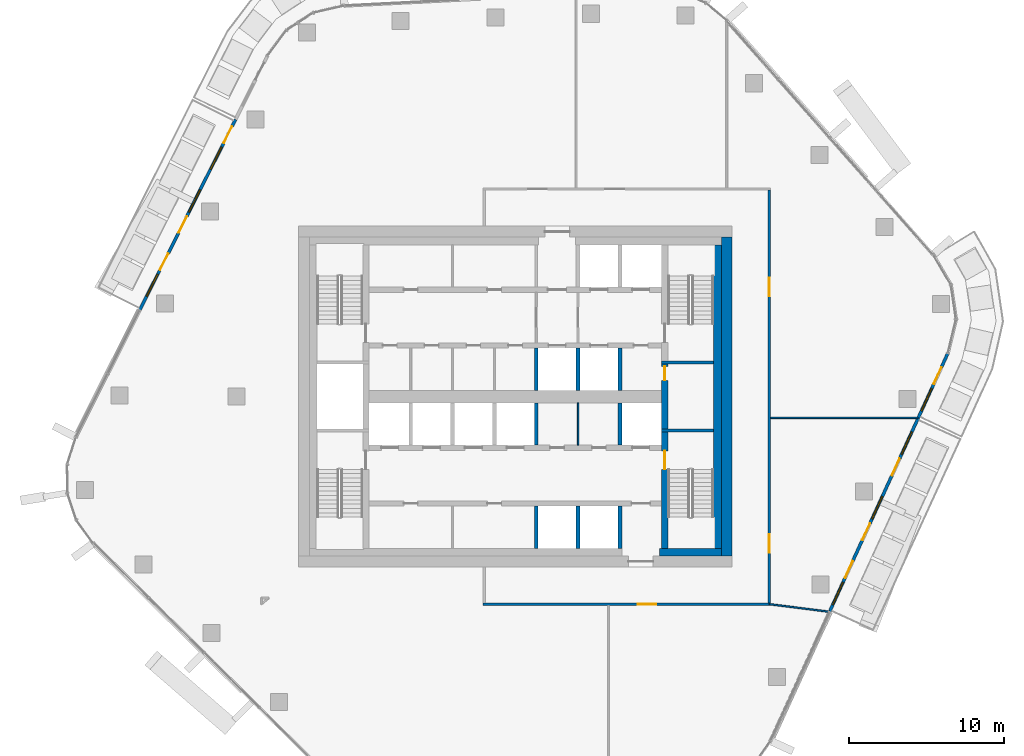
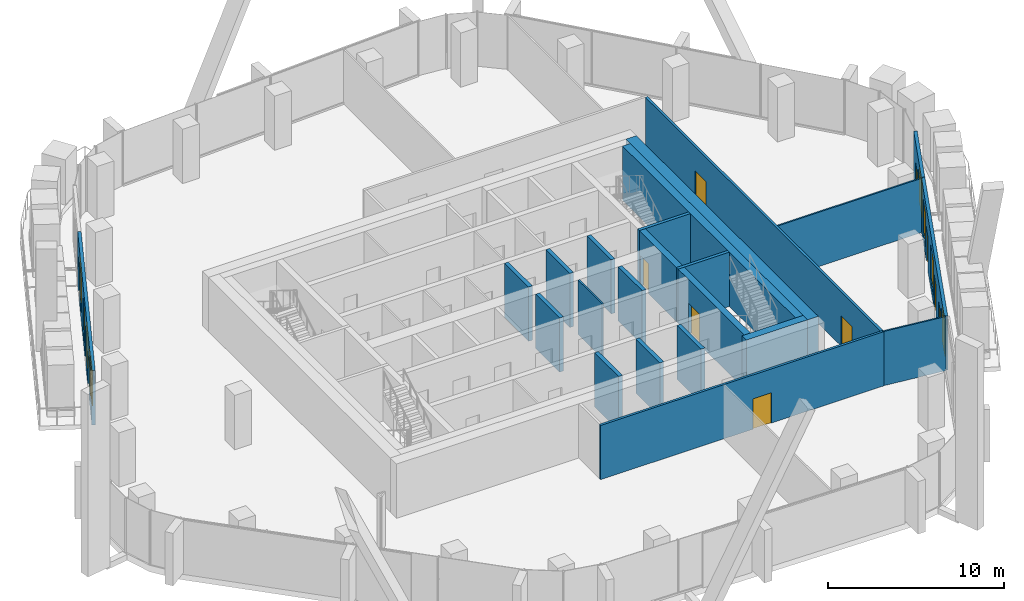
# One storey, part 11 of 20: 23 walls, 12 doors, 7 windows, 19 openings.
"""IFC4 building model written with IfcOpenShell, lengths in metres."""

from ifc_helpers import new_model, si_unit, direction, frame, frame_2d, origin, place, context, subcontext, project, spatial, rectangle, extrude, material, layer, layer_set, type_object, element, fill, save


model = new_model("IFC4")

# Units and contexts
model_context = context("Model", 3, precision=1e-05, world=origin(), true_north=direction((0.0, 1.0)))
body_context = subcontext(model_context, "Body", "Model", "MODEL_VIEW")
ifc_project = project(units=[si_unit("LENGTHUNIT", "METRE"), si_unit("AREAUNIT", "SQUARE_METRE"), si_unit("VOLUMEUNIT", "CUBIC_METRE"), si_unit("PLANEANGLEUNIT", "RADIAN"), si_unit("MASSUNIT", "GRAM", prefix="KILO")], contexts=[model_context])

# Site, building, storey
site_placement = place(None, origin())
site = spatial("IfcSite", under=ifc_project, at=site_placement, CompositionType="ELEMENT")
building_placement = place(site_placement, origin())
building = spatial("IfcBuilding", under=site, at=building_placement, Name="Dongbaek Canopy Tower", CompositionType="ELEMENT")
storey_placement = place(building_placement, frame((0.0, 0.0, 228.60009765625)))
storey = spatial("IfcBuildingStorey", under=building, at=storey_placement, Name="L47", CompositionType="ELEMENT", Elevation=228.60009765625)

# Walls
ifc_material_1 = material(Name="Concrete C70/85", Category="concrete")
ifc_layer_1 = layer(ifc_material_1, 0.699951171875)
ifc_layer_set_1 = layer_set([ifc_layer_1], Name="Core outer wall 700 Concrete C70/85")
wall_type_1 = type_object("IfcWallType", Name="Core outer wall 700 Concrete C70/85", PredefinedType="SHEAR", material=ifc_layer_set_1)
wall_1_placement = place(storey_placement, frame((13.64990234375, 10.300048828125, 0.0), z_axis=(0.0, 0.0, 1.0), x_axis=(0.0, -1.0, 0.0)))
element("IfcWall", 1, at=wall_1_placement, inside=storey, type_object=wall_type_1, Name="Core wall", PredefinedType="SHEAR", context=body_context, shape_type="SweptSolid", body=[
    extrude(rectangle(XDim=20.60009765625, YDim=0.699951171875, at=frame_2d((10.300048828125, 0.0))), origin(), (0.0, 0.0, 1.0), 3.75),
])
ifc_material_2 = material(Name="Concrete C60/75", Category="concrete")
ifc_layer_2 = layer(ifc_material_2, 0.5)
ifc_layer_set_2 = layer_set([ifc_layer_2], Name="Core wall lining 500 Concrete C60/75")
wall_type_2 = type_object("IfcWallType", Name="Core wall lining 500 Concrete C60/75", PredefinedType="SHEAR", material=ifc_layer_set_2)
wall_2_placement = place(storey_placement, frame((13.300048828125, -10.050048828125, 0.0), z_axis=(0.0, 0.0, 1.0), x_axis=(-1.0, 0.0, 0.0)))
element("IfcWall", 2, at=wall_2_placement, inside=storey, type_object=wall_type_2, Name="Core wall lining", PredefinedType="SHEAR", context=body_context, shape_type="SweptSolid", body=[
    extrude(rectangle(XDim=4.0, YDim=0.5, at=frame_2d((2.0, 0.0))), origin(), (0.0, 0.0, 1.0), 3.75),
])
wall_3_placement = place(storey_placement, frame((13.050048828125, 9.800048828125, 0.0), z_axis=(0.0, 0.0, 1.0), x_axis=(0.0, -1.0, 0.0)))
element("IfcWall", 3, at=wall_3_placement, inside=storey, type_object=wall_type_2, Name="Core wall lining", PredefinedType="SHEAR", context=body_context, shape_type="SweptSolid", body=[
    extrude(rectangle(XDim=19.60009765625, YDim=0.5, at=frame_2d((9.800048828125, 0.0))), origin(), (0.0, 0.0, 1.0), 3.75),
])

# Wall, opening, door
ifc_material_3 = material(Name="Gypsum board partition, steel stud, 2 x 15 mm fire board", Category="steel")
ifc_layer_3 = layer(ifc_material_3, 0.14990234375)
ifc_layer_set_3 = layer_set([ifc_layer_3], Name="Fire-rated partition 150 gypsum board")
wall_type_3 = type_object("IfcWallType", Name="Fire-rated partition 150 gypsum board", PredefinedType="PARTITIONING", material=ifc_layer_set_3)
wall_4_placement = place(storey_placement, frame((16.47509765625, -13.39990234375, 0.0), z_axis=(0.0, 0.0, 1.0), x_axis=(-1.0, 0.0, 0.0)))
wall_4 = element("IfcWall", 4, at=wall_4_placement, inside=storey, type_object=wall_type_3, Name="Corridor partition", PredefinedType="PARTITIONING", context=body_context, shape_type="SweptSolid", body=[
    extrude(rectangle(XDim=18.550048828125, YDim=0.14990234375, at=frame_2d((9.27490234375, 0.0))), origin(), (0.0, 0.0, 1.0), 3.75),
])
opening_1_placement = place(wall_4_placement, frame((7.3671875, 0.0, 0.0)))
opening_1 = element("IfcOpeningElement", 5, at=opening_1_placement, cuts=wall_4, Name="Opening L47-D002", PredefinedType="OPENING", context=body_context, shape_type="SweptSolid", body=[
    extrude(rectangle(XDim=1.199951171875, YDim=2.10009765625, at=frame_2d((0.60009765625, 1.050048828125))), frame((0.0, 0.0849609375, 0.0), z_axis=(0.0, -1.0, 0.0), x_axis=(1.0, 0.0, 0.0)), (0.0, 0.0, 1.0), 0.169921875),
])
ifc_material_4 = material(Name="Timber veneered door leaf", Category="wood")
door_type_1 = type_object("IfcDoorType", Name="Room door 1200 x 2100", OperationType="SINGLE_SWING_LEFT", PredefinedType="DOOR", material=ifc_material_4)
door_1_placement = place(opening_1_placement, origin())
door_1 = element("IfcDoor", 6, at=door_1_placement, inside=storey, type_object=door_type_1, Name="Door L47-D002", OperationType="SINGLE_SWING_LEFT", OverallHeight=2.10009765625, OverallWidth=1.199951171875, PredefinedType="DOOR", context=body_context, shape_type="SweptSolid", body=[
    extrude(rectangle(XDim=1.199951171875, YDim=2.10009765625, at=frame_2d((0.60009765625, 1.050048828125))), frame((0.0, 0.02490234375, 0.0), z_axis=(0.0, -1.0, 0.0), x_axis=(1.0, 0.0, 0.0)), (0.0, 0.0, 1.0), 0.050048828125),
])
fill(opening_1, door_1)

# Wall, openings, doors
wall_5_placement = place(storey_placement, frame((16.39990234375, 13.324951171875, 0.0), z_axis=(0.0, 0.0, 1.0), x_axis=(0.0, -1.0, 0.0)))
wall_5 = element("IfcWall", 7, at=wall_5_placement, inside=storey, type_object=wall_type_3, Name="Corridor partition", PredefinedType="PARTITIONING", context=body_context, shape_type="SweptSolid", body=[
    extrude(rectangle(XDim=26.64990234375, YDim=0.14990234375, at=frame_2d((13.324951171875, 0.0))), origin(), (0.0, 0.0, 1.0), 3.75),
])
opening_2_placement = place(wall_5_placement, frame((22.198974609375, 0.0, 0.0)))
opening_2 = element("IfcOpeningElement", 8, at=opening_2_placement, cuts=wall_5, Name="Opening L47-D003", PredefinedType="OPENING", context=body_context, shape_type="SweptSolid", body=[
    extrude(rectangle(XDim=1.199951171875, YDim=2.10009765625, at=frame_2d((0.60009765625, 1.050048828125))), frame((0.0, 0.0849609375, 0.0), z_axis=(0.0, -1.0, 0.0), x_axis=(1.0, 0.0, 0.0)), (0.0, 0.0, 1.0), 0.169921875),
])
opening_3_placement = place(wall_5_placement, frame((5.651123046875, 0.0, 0.0)))
opening_3 = element("IfcOpeningElement", 9, at=opening_3_placement, cuts=wall_5, Name="Opening L47-D004", PredefinedType="OPENING", context=body_context, shape_type="SweptSolid", body=[
    extrude(rectangle(XDim=1.199951171875, YDim=2.10009765625, at=frame_2d((0.60009765625, 1.050048828125))), frame((0.0, 0.0849609375, 0.0), z_axis=(0.0, -1.0, 0.0), x_axis=(1.0, 0.0, 0.0)), (0.0, 0.0, 1.0), 0.169921875),
])
door_2_placement = place(opening_2_placement, origin())
door_2 = element("IfcDoor", 10, at=door_2_placement, inside=storey, type_object=door_type_1, Name="Door L47-D003", OperationType="SINGLE_SWING_RIGHT", OverallHeight=2.10009765625, OverallWidth=1.199951171875, PredefinedType="DOOR", context=body_context, shape_type="SweptSolid", body=[
    extrude(rectangle(XDim=1.199951171875, YDim=2.10009765625, at=frame_2d((0.60009765625, 1.050048828125))), frame((0.0, 0.02490234375, 0.0), z_axis=(0.0, -1.0, 0.0), x_axis=(1.0, 0.0, 0.0)), (0.0, 0.0, 1.0), 0.050048828125),
])
fill(opening_2, door_2)
door_3_placement = place(opening_3_placement, origin())
door_3 = element("IfcDoor", 11, at=door_3_placement, inside=storey, type_object=door_type_1, Name="Door L47-D004", OperationType="SINGLE_SWING_LEFT", OverallHeight=2.10009765625, OverallWidth=1.199951171875, PredefinedType="DOOR", context=body_context, shape_type="SweptSolid", body=[
    extrude(rectangle(XDim=1.199951171875, YDim=2.10009765625, at=frame_2d((0.60009765625, 1.050048828125))), frame((0.0, 0.02490234375, 0.0), z_axis=(0.0, -1.0, 0.0), x_axis=(1.0, 0.0, 0.0)), (0.0, 0.0, 1.0), 0.050048828125),
])
fill(opening_3, door_3)

# Walls
ifc_material_5 = material(Name="Concrete C40/50", Category="concrete")
ifc_layer_4 = layer(ifc_material_5, 0.25)
ifc_layer_set_4 = layer_set([ifc_layer_4], Name="Lift shaft wall 250 Concrete C40/50")
wall_type_4 = type_object("IfcWallType", Name="Lift shaft wall 250 Concrete C40/50", PredefinedType="SOLIDWALL", material=ifc_layer_set_4)
for number, where, z_axis, x_axis, name in (
    (12, (6.75, -9.800048828125, 0.0), (0.0, 0.0, 1.0), (0.0, 1.0, 0.0), "Lift shaft wall"),
    (13, (6.75, -3.125, 0.0), (0.0, 0.0, 1.0), (0.0, 1.0, 0.0), "Lift shaft wall"),
    (14, (6.75, 0.39990234375, 0.0), (0.0, 0.0, 1.0), (0.0, 1.0, 0.0), "Lift shaft wall"),
    (15, (4.050048828125, -9.800048828125, 0.0), (0.0, 0.0, 1.0), (0.0, 1.0, 0.0), "Lift shaft wall"),
    (16, (4.050048828125, 0.39990234375, 0.0), (0.0, 0.0, 1.0), (0.0, 1.0, 0.0), "Lift shaft wall"),
    (17, (1.35009765625, -9.800048828125, 0.0), (0.0, 0.0, 1.0), (0.0, 1.0, 0.0), "Lift shaft wall"),
    (18, (1.35009765625, -3.125, 0.0), (0.0, 0.0, 1.0), (0.0, 1.0, 0.0), "Lift shaft wall"),
    (19, (1.35009765625, 0.39990234375, 0.0), (0.0, 0.0, 1.0), (0.0, 1.0, 0.0), "Lift shaft wall"),
):
    element("IfcWall", number, at=place(storey_placement, frame(where, z_axis=z_axis, x_axis=x_axis)), inside=storey, type_object=wall_type_4, Name=name, PredefinedType="SOLIDWALL", context=body_context, shape_type="SweptSolid", body=[
        extrude(rectangle(XDim=2.72509765625, YDim=0.25, at=frame_2d((1.362548828125, 0.0))), origin(), (0.0, 0.0, 1.0), 3.75),
    ])
ifc_material_6 = material(Name="Gypsum board partition, steel stud, 2 x 12.5 mm board", Category="steel")
ifc_layer_5 = layer(ifc_material_6, 0.10009765625)
ifc_layer_set_5 = layer_set([ifc_layer_5], Name="Partition 100 gypsum board")
wall_type_5 = type_object("IfcWallType", Name="Partition 100 gypsum board", PredefinedType="PARTITIONING", material=ifc_layer_set_5)
wall_6_placement = place(storey_placement, frame((16.47509765625, -1.3759765625, 0.0), z_axis=(0.0, 0.0, 1.0), x_axis=(1.0, 0.0, 0.0)))
element("IfcWall", 20, at=wall_6_placement, inside=storey, type_object=wall_type_5, Name="Partition", PredefinedType="PARTITIONING", context=body_context, shape_type="SweptSolid", body=[
    extrude(rectangle(XDim=9.513916015625, YDim=0.10009765625, at=frame_2d((4.7568359375, 0.0))), origin(), (0.0, 0.0, 1.0), 3.75),
])
wall_7_placement = place(storey_placement, frame((16.39990234375, -13.400390625, 0.0), z_axis=(0.0, 0.0, 1.0), x_axis=(0.992073977013, -0.125655179493, 0.0)))
element("IfcWall", 21, at=wall_7_placement, inside=storey, type_object=wall_type_5, Name="Partition", PredefinedType="PARTITIONING", context=body_context, shape_type="SweptSolid", body=[
    extrude(rectangle(XDim=3.8935546875, YDim=0.10009765625, at=frame_2d((1.94677734375, 0.0))), origin(), (0.0, 0.0, 1.0), 3.75),
])
wall_8_placement = place(storey_placement, frame((4.050048828125, -3.125, 0.0), z_axis=(0.0, 0.0, 1.0), x_axis=(0.0, 1.0, 0.0)))
element("IfcWall", 22, at=wall_8_placement, inside=storey, type_object=wall_type_5, Name="Core partition", PredefinedType="PARTITIONING", context=body_context, shape_type="SweptSolid", body=[
    extrude(rectangle(XDim=2.72509765625, YDim=0.10009765625, at=frame_2d((1.362548828125, 0.0))), origin(), (0.0, 0.0, 1.0), 3.75),
])
ifc_material_7 = material(Name="Concrete C60/75", Category="concrete")
ifc_layer_6 = layer(ifc_material_7, 0.199951171875)
ifc_layer_set_6 = layer_set([ifc_layer_6], Name="Riser wall 200 Concrete C60/75")
wall_type_6 = type_object("IfcWallType", Name="Riser wall 200 Concrete C60/75", PredefinedType="SHEAR", material=ifc_layer_set_6)
for number, where, z_axis, x_axis, name in (
    (23, (9.449951171875, 2.199951171875, 0.0), (0.0, 0.0, 1.0), (1.0, 0.0, 0.0), "Riser wall"),
    (24, (9.449951171875, -2.199951171875, 0.0), (0.0, 0.0, 1.0), (1.0, 0.0, 0.0), "Riser wall"),
):
    element("IfcWall", number, at=place(storey_placement, frame(where, z_axis=z_axis, x_axis=x_axis)), inside=storey, type_object=wall_type_6, Name=name, PredefinedType="SHEAR", context=body_context, shape_type="SweptSolid", body=[
        extrude(rectangle(XDim=3.35009765625, YDim=0.199951171875, at=frame_2d((1.675048828125, 0.0))), origin(), (0.0, 0.0, 1.0), 3.75),
    ])

# Wall, opening, door
ifc_material_8 = material(Name="Concrete C60/75", Category="concrete")
ifc_layer_7 = layer(ifc_material_8, 0.39990234375)
ifc_layer_set_7 = layer_set([ifc_layer_7], Name="Stair wall 400 Concrete C60/75")
wall_type_7 = type_object("IfcWallType", Name="Stair wall 400 Concrete C60/75", PredefinedType="SHEAR", material=ifc_layer_set_7)
wall_9_placement = place(storey_placement, frame((9.64990234375, -2.300048828125, 0.0), z_axis=(0.0, 0.0, 1.0), x_axis=(0.0, -1.0, 0.0)))
wall_9 = element("IfcWall", 25, at=wall_9_placement, inside=storey, type_object=wall_type_7, Name="Stair wall", PredefinedType="SHEAR", context=body_context, shape_type="SweptSolid", body=[
    extrude(rectangle(XDim=7.5, YDim=0.39990234375, at=frame_2d((3.75, 0.0))), origin(), (0.0, 0.0, 1.0), 3.75),
])
opening_4_placement = place(wall_9_placement, frame((1.199951171875, 0.0, 0.0)))
opening_4 = element("IfcOpeningElement", 26, at=opening_4_placement, cuts=wall_9, Name="Opening L47-D033", PredefinedType="OPENING", context=body_context, shape_type="SweptSolid", body=[
    extrude(rectangle(XDim=1.199951171875, YDim=2.10009765625, at=frame_2d((0.60009765625, 1.050048828125))), frame((0.0, 0.2099609375, 0.0), z_axis=(0.0, -1.0, 0.0), x_axis=(1.0, 0.0, 0.0)), (0.0, 0.0, 1.0), 0.419921875),
])
ifc_material_9 = material(Name="Steel", Category="steel")
door_type_2 = type_object("IfcDoorType", Name="Stair door 1200 x 2100", OperationType="SINGLE_SWING_LEFT", PredefinedType="DOOR", material=ifc_material_9)
door_4_placement = place(opening_4_placement, origin())
door_4 = element("IfcDoor", 27, at=door_4_placement, inside=storey, type_object=door_type_2, Name="Stair B door", OperationType="SINGLE_SWING_RIGHT", OverallHeight=2.10009765625, OverallWidth=1.199951171875, PredefinedType="DOOR", context=body_context, shape_type="SweptSolid", body=[
    extrude(rectangle(XDim=1.199951171875, YDim=2.10009765625, at=frame_2d((0.60009765625, 1.050048828125))), frame((0.0, 0.02490234375, 0.0), z_axis=(0.0, -1.0, 0.0), x_axis=(1.0, 0.0, 0.0)), (0.0, 0.0, 1.0), 0.050048828125),
])
fill(opening_4, door_4)

wall_10_placement = place(storey_placement, frame((9.64990234375, 2.10009765625, 0.0), z_axis=(0.0, 0.0, 1.0), x_axis=(0.0, -1.0, 0.0)))
wall_10 = element("IfcWall", 28, at=wall_10_placement, inside=storey, type_object=wall_type_7, Name="Stair wall", PredefinedType="SHEAR", context=body_context, shape_type="SweptSolid", body=[
    extrude(rectangle(XDim=4.2001953125, YDim=0.39990234375, at=frame_2d((2.10009765625, 0.0))), origin(), (0.0, 0.0, 1.0), 3.75),
])
opening_5_placement = place(wall_10_placement, frame((0.14990234375, 0.0, 0.0)))
opening_5 = element("IfcOpeningElement", 29, at=opening_5_placement, cuts=wall_10, Name="Opening L47-D006", PredefinedType="OPENING", context=body_context, shape_type="SweptSolid", body=[
    extrude(rectangle(XDim=0.89990234375, YDim=2.10009765625, at=frame_2d((0.449951171875, 1.050048828125))), frame((0.0, 0.2099609375, 0.0), z_axis=(0.0, -1.0, 0.0), x_axis=(1.0, 0.0, 0.0)), (0.0, 0.0, 1.0), 0.419921875),
])
ifc_material_10 = material(Name="Steel", Category="steel")
door_type_3 = type_object("IfcDoorType", Name="Core room door 900 x 2100", OperationType="SINGLE_SWING_LEFT", PredefinedType="DOOR", material=ifc_material_10)
door_5_placement = place(opening_5_placement, origin())
door_5 = element("IfcDoor", 30, at=door_5_placement, inside=storey, type_object=door_type_3, Name="Door L47-D006", OperationType="SINGLE_SWING_RIGHT", OverallHeight=2.10009765625, OverallWidth=0.89990234375, PredefinedType="DOOR", context=body_context, shape_type="SweptSolid", body=[
    extrude(rectangle(XDim=0.89990234375, YDim=2.10009765625, at=frame_2d((0.449951171875, 1.050048828125))), frame((0.0, 0.02490234375, 0.0), z_axis=(0.0, -1.0, 0.0), x_axis=(1.0, 0.0, 0.0)), (0.0, 0.0, 1.0), 0.050048828125),
])
fill(opening_5, door_5)

# Wall, openings, doors, windows
ifc_material_11 = material(Name="Aluminium window wall", Category="aluminium")
ifc_layer_8 = layer(ifc_material_11, 0.199951171875)
ifc_layer_set_8 = layer_set([ifc_layer_8], Name="Window wall 200")
wall_type_8 = type_object("IfcWallType", Name="Window wall 200", PredefinedType="SOLIDWALL", material=ifc_layer_set_8)
wall_11_placement = place(storey_placement, frame((-18.063720703125, 17.89111328125, 0.0), z_axis=(0.0, 0.0, 1.0), x_axis=(-0.448914630317, -0.893574649756, 0.0)))
wall_11 = element("IfcWall", 31, at=wall_11_placement, inside=storey, type_object=wall_type_8, Name="Window wall L47 1", PredefinedType="SOLIDWALL", context=body_context, shape_type="SweptSolid", body=[
    extrude(rectangle(XDim=13.771728515625, YDim=0.199951171875, at=frame_2d((6.8857421875, 0.0))), origin(), (0.0, 0.0, 1.0), 3.75),
])
opening_6_placement = place(wall_11_placement, frame((2.0, 0.0, 0.60009765625)))
opening_6 = element("IfcOpeningElement", 32, at=opening_6_placement, cuts=wall_11, Name="Opening W1", PredefinedType="OPENING", context=body_context, shape_type="SweptSolid", body=[
    extrude(rectangle(XDim=1.60009765625, YDim=2.39990234375, at=frame_2d((0.800048828125, 1.199951171875))), frame((0.0, 0.10986328125, 0.0), z_axis=(0.0, -1.0, 0.0), x_axis=(1.0, 0.0, 0.0)), (0.0, 0.0, 1.0), 0.219970703125),
])
opening_7_placement = place(wall_11_placement, frame((0.5, 0.0, 0.0)))
opening_7 = element("IfcOpeningElement", 33, at=opening_7_placement, cuts=wall_11, Name="Opening L47-B01", PredefinedType="OPENING", context=body_context, shape_type="SweptSolid", body=[
    extrude(rectangle(XDim=1.199951171875, YDim=2.39990234375, at=frame_2d((0.60009765625, 1.199951171875))), frame((0.0, 0.10986328125, 0.0), z_axis=(0.0, -1.0, 0.0), x_axis=(1.0, 0.0, 0.0)), (0.0, 0.0, 1.0), 0.219970703125),
])
opening_8_placement = place(wall_11_placement, frame((5.090576171875, 0.0, 0.60009765625)))
opening_8 = element("IfcOpeningElement", 34, at=opening_8_placement, cuts=wall_11, Name="Opening W1", PredefinedType="OPENING", context=body_context, shape_type="SweptSolid", body=[
    extrude(rectangle(XDim=1.60009765625, YDim=2.39990234375, at=frame_2d((0.800048828125, 1.199951171875))), frame((0.0, 0.10986328125, 0.0), z_axis=(0.0, -1.0, 0.0), x_axis=(1.0, 0.0, 0.0)), (0.0, 0.0, 1.0), 0.219970703125),
])
opening_9_placement = place(wall_11_placement, frame((6.99072265625, 0.0, 0.0)))
opening_9 = element("IfcOpeningElement", 35, at=opening_9_placement, cuts=wall_11, Name="Opening L47-B02", PredefinedType="OPENING", context=body_context, shape_type="SweptSolid", body=[
    extrude(rectangle(XDim=1.199951171875, YDim=2.39990234375, at=frame_2d((0.60009765625, 1.199951171875))), frame((0.0, 0.10986328125, 0.0), z_axis=(0.0, -1.0, 0.0), x_axis=(1.0, 0.0, 0.0)), (0.0, 0.0, 1.0), 0.219970703125),
])
opening_10_placement = place(wall_11_placement, frame((11.18115234375, 0.0, 0.60009765625)))
opening_10 = element("IfcOpeningElement", 36, at=opening_10_placement, cuts=wall_11, Name="Opening W1", PredefinedType="OPENING", context=body_context, shape_type="SweptSolid", body=[
    extrude(rectangle(XDim=1.60009765625, YDim=2.39990234375, at=frame_2d((0.800048828125, 1.199951171875))), frame((0.0, 0.10986328125, 0.0), z_axis=(0.0, -1.0, 0.0), x_axis=(1.0, 0.0, 0.0)), (0.0, 0.0, 1.0), 0.219970703125),
])
opening_11_placement = place(wall_11_placement, frame((9.68115234375, 0.0, 0.0)))
opening_11 = element("IfcOpeningElement", 37, at=opening_11_placement, cuts=wall_11, Name="Opening L47-B03", PredefinedType="OPENING", context=body_context, shape_type="SweptSolid", body=[
    extrude(rectangle(XDim=1.199951171875, YDim=2.39990234375, at=frame_2d((0.60009765625, 1.199951171875))), frame((0.0, 0.10986328125, 0.0), z_axis=(0.0, -1.0, 0.0), x_axis=(1.0, 0.0, 0.0)), (0.0, 0.0, 1.0), 0.219970703125),
])
ifc_material_12 = material(Name="Clear glazing in aluminium frame", Category="aluminium")
door_type_4 = type_object("IfcDoorType", Name="Balcony door BD1 1200 x 2400", OperationType="SLIDING_TO_LEFT", PredefinedType="DOOR", material=ifc_material_12)
door_6_placement = place(opening_7_placement, origin())
door_6 = element("IfcDoor", 38, at=door_6_placement, inside=storey, type_object=door_type_4, Name="Balcony door L47-B01", OperationType="SLIDING_TO_LEFT", OverallHeight=2.39990234375, OverallWidth=1.199951171875, PredefinedType="DOOR", context=body_context, shape_type="SweptSolid", body=[
    extrude(rectangle(XDim=1.199951171875, YDim=2.39990234375, at=frame_2d((0.60009765625, 1.199951171875))), frame((0.0, 0.02490234375, 0.0), z_axis=(0.0, -1.0, 0.0), x_axis=(1.0, 0.0, 0.0)), (0.0, 0.0, 1.0), 0.050048828125),
])
fill(opening_7, door_6)
door_7_placement = place(opening_9_placement, origin())
door_7 = element("IfcDoor", 39, at=door_7_placement, inside=storey, type_object=door_type_4, Name="Balcony door L47-B02", OperationType="SLIDING_TO_LEFT", OverallHeight=2.39990234375, OverallWidth=1.199951171875, PredefinedType="DOOR", context=body_context, shape_type="SweptSolid", body=[
    extrude(rectangle(XDim=1.199951171875, YDim=2.39990234375, at=frame_2d((0.60009765625, 1.199951171875))), frame((0.0, 0.02490234375, 0.0), z_axis=(0.0, -1.0, 0.0), x_axis=(1.0, 0.0, 0.0)), (0.0, 0.0, 1.0), 0.050048828125),
])
fill(opening_9, door_7)
door_8_placement = place(opening_11_placement, origin())
door_8 = element("IfcDoor", 40, at=door_8_placement, inside=storey, type_object=door_type_4, Name="Balcony door L47-B03", OperationType="SLIDING_TO_LEFT", OverallHeight=2.39990234375, OverallWidth=1.199951171875, PredefinedType="DOOR", context=body_context, shape_type="SweptSolid", body=[
    extrude(rectangle(XDim=1.199951171875, YDim=2.39990234375, at=frame_2d((0.60009765625, 1.199951171875))), frame((0.0, 0.02490234375, 0.0), z_axis=(0.0, -1.0, 0.0), x_axis=(1.0, 0.0, 0.0)), (0.0, 0.0, 1.0), 0.050048828125),
])
fill(opening_11, door_8)
ifc_material_13 = material(Name="Clear glazing in aluminium frame", Category="aluminium")
window_type = type_object("IfcWindowType", Name="Window W1 1600 x 2400", PartitioningType="SINGLE_PANEL", PredefinedType="WINDOW", material=ifc_material_13)
window_1_placement = place(opening_6_placement, origin())
window_1 = element("IfcWindow", 41, at=window_1_placement, inside=storey, type_object=window_type, Name="Window L47 1.1", OverallHeight=2.39990234375, OverallWidth=1.60009765625, PartitioningType="SINGLE_PANEL", PredefinedType="WINDOW", context=body_context, shape_type="SweptSolid", body=[
    extrude(rectangle(XDim=1.60009765625, YDim=2.39990234375, at=frame_2d((0.800048828125, 1.199951171875))), frame((0.0, 0.030029296875, 0.0), z_axis=(0.0, -1.0, 0.0), x_axis=(1.0, 0.0, 0.0)), (0.0, 0.0, 1.0), 0.06005859375),
])
fill(opening_6, window_1)
window_2_placement = place(opening_8_placement, origin())
window_2 = element("IfcWindow", 42, at=window_2_placement, inside=storey, type_object=window_type, Name="Window L47 1.2", OverallHeight=2.39990234375, OverallWidth=1.60009765625, PartitioningType="SINGLE_PANEL", PredefinedType="WINDOW", context=body_context, shape_type="SweptSolid", body=[
    extrude(rectangle(XDim=1.60009765625, YDim=2.39990234375, at=frame_2d((0.800048828125, 1.199951171875))), frame((0.0, 0.030029296875, 0.0), z_axis=(0.0, -1.0, 0.0), x_axis=(1.0, 0.0, 0.0)), (0.0, 0.0, 1.0), 0.06005859375),
])
fill(opening_8, window_2)
window_3_placement = place(opening_10_placement, origin())
window_3 = element("IfcWindow", 43, at=window_3_placement, inside=storey, type_object=window_type, Name="Window L47 1.3", OverallHeight=2.39990234375, OverallWidth=1.60009765625, PartitioningType="SINGLE_PANEL", PredefinedType="WINDOW", context=body_context, shape_type="SweptSolid", body=[
    extrude(rectangle(XDim=1.60009765625, YDim=2.39990234375, at=frame_2d((0.800048828125, 1.199951171875))), frame((0.0, 0.030029296875, 0.0), z_axis=(0.0, -1.0, 0.0), x_axis=(1.0, 0.0, 0.0)), (0.0, 0.0, 1.0), 0.06005859375),
])
fill(opening_10, window_3)

wall_12_placement = place(storey_placement, frame((20.283447265625, -13.89208984375, 0.0), z_axis=(0.0, 0.0, 1.0), x_axis=(0.416106802435, 0.909315747674, 0.0)))
wall_12 = element("IfcWall", 44, at=wall_12_placement, inside=storey, type_object=wall_type_8, Name="Window wall L47 2", PredefinedType="SOLIDWALL", context=body_context, shape_type="SweptSolid", body=[
    extrude(rectangle(XDim=13.7646484375, YDim=0.199951171875, at=frame_2d((6.88232421875, 0.0))), origin(), (0.0, 0.0, 1.0), 3.75),
])
opening_12_placement = place(wall_12_placement, frame((0.5, 0.0, 0.60009765625)))
opening_12 = element("IfcOpeningElement", 45, at=opening_12_placement, cuts=wall_12, Name="Opening W1", PredefinedType="OPENING", context=body_context, shape_type="SweptSolid", body=[
    extrude(rectangle(XDim=1.60009765625, YDim=2.39990234375, at=frame_2d((0.800048828125, 1.199951171875))), frame((0.0, 0.10986328125, 0.0), z_axis=(0.0, -1.0, 0.0), x_axis=(1.0, 0.0, 0.0)), (0.0, 0.0, 1.0), 0.219970703125),
])
opening_13_placement = place(wall_12_placement, frame((2.39990234375, 0.0, 0.0)))
opening_13 = element("IfcOpeningElement", 46, at=opening_13_placement, cuts=wall_12, Name="Opening L47-B05", PredefinedType="OPENING", context=body_context, shape_type="SweptSolid", body=[
    extrude(rectangle(XDim=1.199951171875, YDim=2.39990234375, at=frame_2d((0.60009765625, 1.199951171875))), frame((0.0, 0.10986328125, 0.0), z_axis=(0.0, -1.0, 0.0), x_axis=(1.0, 0.0, 0.0)), (0.0, 0.0, 1.0), 0.219970703125),
])
opening_14_placement = place(wall_12_placement, frame((6.588134765625, 0.0, 0.60009765625)))
opening_14 = element("IfcOpeningElement", 47, at=opening_14_placement, cuts=wall_12, Name="Opening W1", PredefinedType="OPENING", context=body_context, shape_type="SweptSolid", body=[
    extrude(rectangle(XDim=1.60009765625, YDim=2.39990234375, at=frame_2d((0.800048828125, 1.199951171875))), frame((0.0, 0.10986328125, 0.0), z_axis=(0.0, -1.0, 0.0), x_axis=(1.0, 0.0, 0.0)), (0.0, 0.0, 1.0), 0.219970703125),
])
opening_15_placement = place(wall_12_placement, frame((5.088134765625, 0.0, 0.0)))
opening_15 = element("IfcOpeningElement", 48, at=opening_15_placement, cuts=wall_12, Name="Opening L47-B06", PredefinedType="OPENING", context=body_context, shape_type="SweptSolid", body=[
    extrude(rectangle(XDim=1.199951171875, YDim=2.39990234375, at=frame_2d((0.60009765625, 1.199951171875))), frame((0.0, 0.10986328125, 0.0), z_axis=(0.0, -1.0, 0.0), x_axis=(1.0, 0.0, 0.0)), (0.0, 0.0, 1.0), 0.219970703125),
])
opening_16_placement = place(wall_12_placement, frame((11.17626953125, 0.0, 0.60009765625)))
opening_16 = element("IfcOpeningElement", 49, at=opening_16_placement, cuts=wall_12, Name="Opening W1", PredefinedType="OPENING", context=body_context, shape_type="SweptSolid", body=[
    extrude(rectangle(XDim=1.60009765625, YDim=2.39990234375, at=frame_2d((0.800048828125, 1.199951171875))), frame((0.0, 0.10986328125, 0.0), z_axis=(0.0, -1.0, 0.0), x_axis=(1.0, 0.0, 0.0)), (0.0, 0.0, 1.0), 0.219970703125),
])
opening_17_placement = place(wall_12_placement, frame((9.67626953125, 0.0, 0.0)))
opening_17 = element("IfcOpeningElement", 50, at=opening_17_placement, cuts=wall_12, Name="Opening L47-B07", PredefinedType="OPENING", context=body_context, shape_type="SweptSolid", body=[
    extrude(rectangle(XDim=1.199951171875, YDim=2.39990234375, at=frame_2d((0.60009765625, 1.199951171875))), frame((0.0, 0.10986328125, 0.0), z_axis=(0.0, -1.0, 0.0), x_axis=(1.0, 0.0, 0.0)), (0.0, 0.0, 1.0), 0.219970703125),
])
door_9_placement = place(opening_13_placement, origin())
door_9 = element("IfcDoor", 51, at=door_9_placement, inside=storey, type_object=door_type_4, Name="Balcony door L47-B05", OperationType="SLIDING_TO_LEFT", OverallHeight=2.39990234375, OverallWidth=1.199951171875, PredefinedType="DOOR", context=body_context, shape_type="SweptSolid", body=[
    extrude(rectangle(XDim=1.199951171875, YDim=2.39990234375, at=frame_2d((0.60009765625, 1.199951171875))), frame((0.0, 0.02490234375, 0.0), z_axis=(0.0, -1.0, 0.0), x_axis=(1.0, 0.0, 0.0)), (0.0, 0.0, 1.0), 0.050048828125),
])
fill(opening_13, door_9)
door_10_placement = place(opening_15_placement, origin())
door_10 = element("IfcDoor", 52, at=door_10_placement, inside=storey, type_object=door_type_4, Name="Balcony door L47-B06", OperationType="SLIDING_TO_LEFT", OverallHeight=2.39990234375, OverallWidth=1.199951171875, PredefinedType="DOOR", context=body_context, shape_type="SweptSolid", body=[
    extrude(rectangle(XDim=1.199951171875, YDim=2.39990234375, at=frame_2d((0.60009765625, 1.199951171875))), frame((0.0, 0.02490234375, 0.0), z_axis=(0.0, -1.0, 0.0), x_axis=(1.0, 0.0, 0.0)), (0.0, 0.0, 1.0), 0.050048828125),
])
fill(opening_15, door_10)
door_11_placement = place(opening_17_placement, origin())
door_11 = element("IfcDoor", 53, at=door_11_placement, inside=storey, type_object=door_type_4, Name="Balcony door L47-B07", OperationType="SLIDING_TO_LEFT", OverallHeight=2.39990234375, OverallWidth=1.199951171875, PredefinedType="DOOR", context=body_context, shape_type="SweptSolid", body=[
    extrude(rectangle(XDim=1.199951171875, YDim=2.39990234375, at=frame_2d((0.60009765625, 1.199951171875))), frame((0.0, 0.02490234375, 0.0), z_axis=(0.0, -1.0, 0.0), x_axis=(1.0, 0.0, 0.0)), (0.0, 0.0, 1.0), 0.050048828125),
])
fill(opening_17, door_11)
window_4_placement = place(opening_12_placement, origin())
window_4 = element("IfcWindow", 54, at=window_4_placement, inside=storey, type_object=window_type, Name="Window L47 2.1", OverallHeight=2.39990234375, OverallWidth=1.60009765625, PartitioningType="SINGLE_PANEL", PredefinedType="WINDOW", context=body_context, shape_type="SweptSolid", body=[
    extrude(rectangle(XDim=1.60009765625, YDim=2.39990234375, at=frame_2d((0.800048828125, 1.199951171875))), frame((0.0, 0.030029296875, 0.0), z_axis=(0.0, -1.0, 0.0), x_axis=(1.0, 0.0, 0.0)), (0.0, 0.0, 1.0), 0.06005859375),
])
fill(opening_12, window_4)
window_5_placement = place(opening_14_placement, origin())
window_5 = element("IfcWindow", 55, at=window_5_placement, inside=storey, type_object=window_type, Name="Window L47 2.2", OverallHeight=2.39990234375, OverallWidth=1.60009765625, PartitioningType="SINGLE_PANEL", PredefinedType="WINDOW", context=body_context, shape_type="SweptSolid", body=[
    extrude(rectangle(XDim=1.60009765625, YDim=2.39990234375, at=frame_2d((0.800048828125, 1.199951171875))), frame((0.0, 0.030029296875, 0.0), z_axis=(0.0, -1.0, 0.0), x_axis=(1.0, 0.0, 0.0)), (0.0, 0.0, 1.0), 0.06005859375),
])
fill(opening_14, window_5)
window_6_placement = place(opening_16_placement, origin())
window_6 = element("IfcWindow", 56, at=window_6_placement, inside=storey, type_object=window_type, Name="Window L47 2.3", OverallHeight=2.39990234375, OverallWidth=1.60009765625, PartitioningType="SINGLE_PANEL", PredefinedType="WINDOW", context=body_context, shape_type="SweptSolid", body=[
    extrude(rectangle(XDim=1.60009765625, YDim=2.39990234375, at=frame_2d((0.800048828125, 1.199951171875))), frame((0.0, 0.030029296875, 0.0), z_axis=(0.0, -1.0, 0.0), x_axis=(1.0, 0.0, 0.0)), (0.0, 0.0, 1.0), 0.06005859375),
])
fill(opening_16, window_6)

# Wall, openings, door, window
wall_13_placement = place(storey_placement, frame((26.010986328125, -1.375732421875, 0.0), z_axis=(0.0, 0.0, 1.0), x_axis=(0.416127690122, 0.909306189088, 0.0)))
wall_13 = element("IfcWall", 57, at=wall_13_placement, inside=storey, type_object=wall_type_8, Name="Window wall L47 3", PredefinedType="SOLIDWALL", context=body_context, shape_type="SweptSolid", body=[
    extrude(rectangle(XDim=4.57861328125, YDim=0.199951171875, at=frame_2d((2.289306640625, 0.0))), origin(), (0.0, 0.0, 1.0), 3.75),
])
opening_18_placement = place(wall_13_placement, frame((0.5, 0.0, 0.60009765625)))
opening_18 = element("IfcOpeningElement", 58, at=opening_18_placement, cuts=wall_13, Name="Opening W1", PredefinedType="OPENING", context=body_context, shape_type="SweptSolid", body=[
    extrude(rectangle(XDim=1.60009765625, YDim=2.39990234375, at=frame_2d((0.800048828125, 1.199951171875))), frame((0.0, 0.10986328125, 0.0), z_axis=(0.0, -1.0, 0.0), x_axis=(1.0, 0.0, 0.0)), (0.0, 0.0, 1.0), 0.219970703125),
])
opening_19_placement = place(wall_13_placement, frame((2.39990234375, 0.0, 0.0)))
opening_19 = element("IfcOpeningElement", 59, at=opening_19_placement, cuts=wall_13, Name="Opening L47-B08", PredefinedType="OPENING", context=body_context, shape_type="SweptSolid", body=[
    extrude(rectangle(XDim=1.199951171875, YDim=2.39990234375, at=frame_2d((0.60009765625, 1.199951171875))), frame((0.0, 0.10986328125, 0.0), z_axis=(0.0, -1.0, 0.0), x_axis=(1.0, 0.0, 0.0)), (0.0, 0.0, 1.0), 0.219970703125),
])
door_12_placement = place(opening_19_placement, origin())
door_12 = element("IfcDoor", 60, at=door_12_placement, inside=storey, type_object=door_type_4, Name="Balcony door L47-B08", OperationType="SLIDING_TO_LEFT", OverallHeight=2.39990234375, OverallWidth=1.199951171875, PredefinedType="DOOR", context=body_context, shape_type="SweptSolid", body=[
    extrude(rectangle(XDim=1.199951171875, YDim=2.39990234375, at=frame_2d((0.60009765625, 1.199951171875))), frame((0.0, 0.02490234375, 0.0), z_axis=(0.0, -1.0, 0.0), x_axis=(1.0, 0.0, 0.0)), (0.0, 0.0, 1.0), 0.050048828125),
])
fill(opening_19, door_12)
window_7_placement = place(opening_18_placement, origin())
window_7 = element("IfcWindow", 61, at=window_7_placement, inside=storey, type_object=window_type, Name="Window L47 3.1", OverallHeight=2.39990234375, OverallWidth=1.60009765625, PartitioningType="SINGLE_PANEL", PredefinedType="WINDOW", context=body_context, shape_type="SweptSolid", body=[
    extrude(rectangle(XDim=1.60009765625, YDim=2.39990234375, at=frame_2d((0.800048828125, 1.199951171875))), frame((0.0, 0.030029296875, 0.0), z_axis=(0.0, -1.0, 0.0), x_axis=(1.0, 0.0, 0.0)), (0.0, 0.0, 1.0), 0.06005859375),
])
fill(opening_18, window_7)

save(model, "model.ifc")
